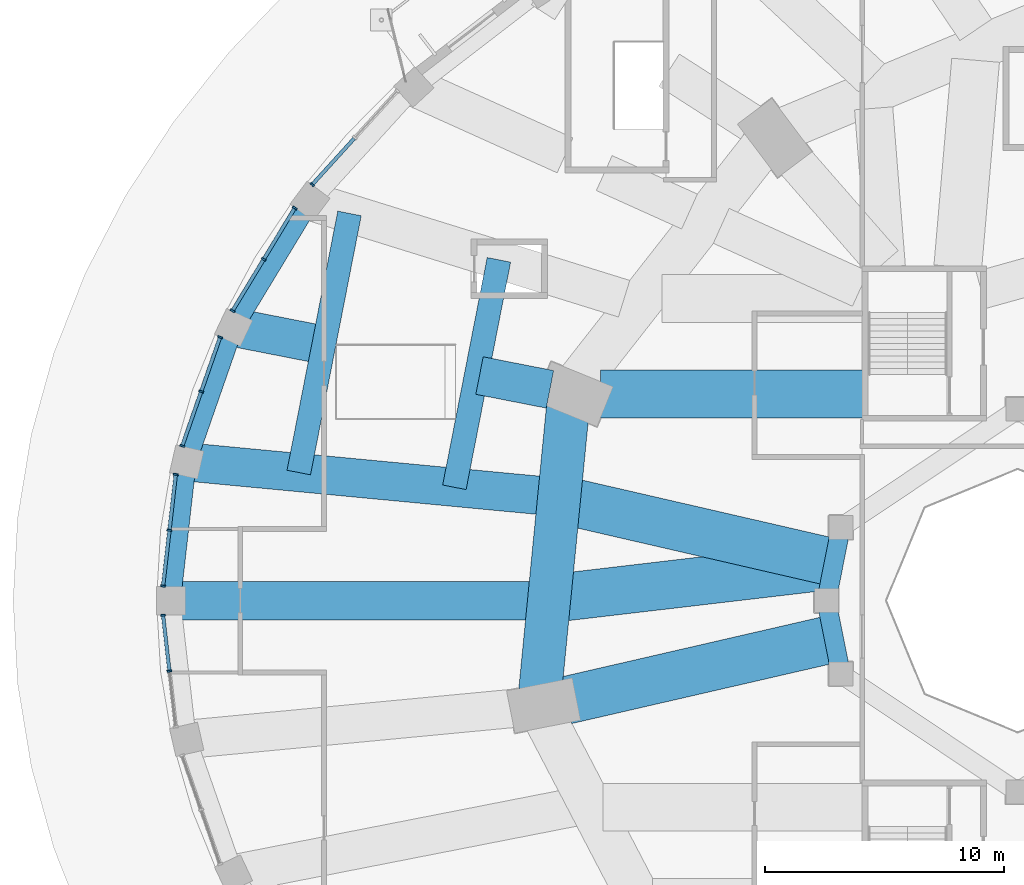
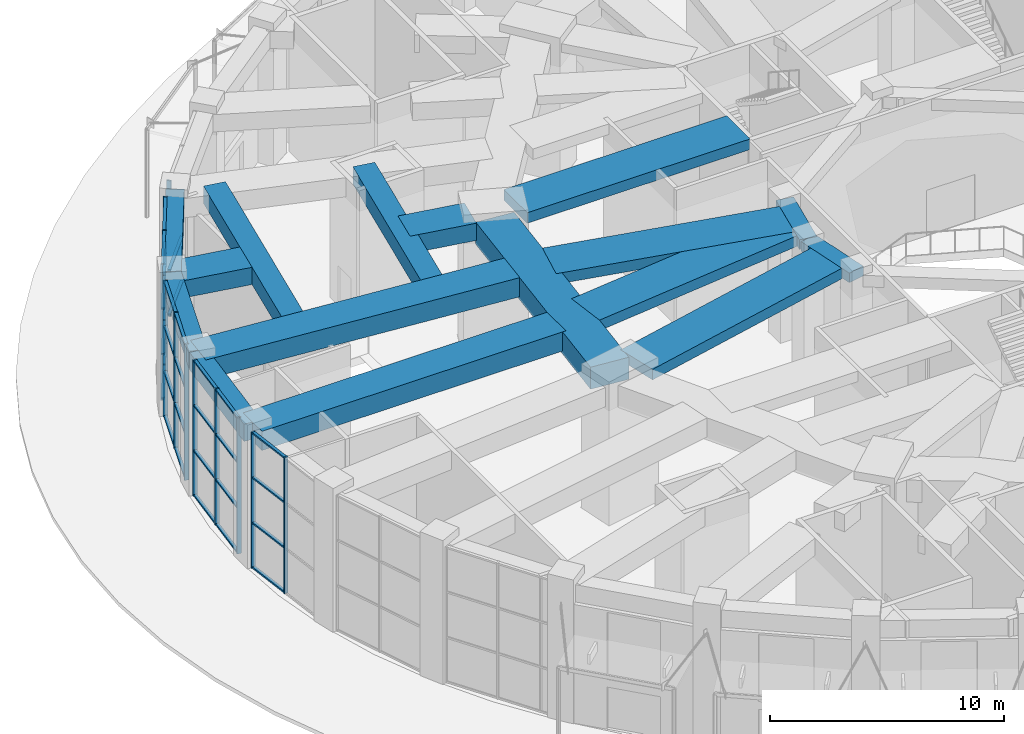
# One storey, part 25 of 60: 42 members, 16 beams, 5 elements without a shape of their own.
"""IFC4 building model written with IfcOpenShell, lengths in metres."""

import ifcopenshell
import ifcopenshell.guid

model = None  # the IFC model being written
_history = None  # IfcOwnerHistory: only IFC2X3 demands one
_inside = {}  # id of a spatial element -> (the spatial element, [elements in it])
_under = {}  # id of a project, library or spatial element -> (it, [spatial elements below it])
_declared = {}  # id of a project -> (the project, [libraries it declares])
_typed = {}  # id of a type object -> (the type object, [elements of that type])
_made_of = {}  # id of a material, layer set ... -> (it, [elements and type objects made of it])


def new_model(schema):
    """Start an empty IFC model of exactly this schema.

    Asked for "IFC4X3", IfcOpenShell would pick the latest addendum, in which some entities
    have other attributes; the version numbers below select the first issue.
    IFC2X3 requires an IfcOwnerHistory on every rooted entity: one is made here for all.
    """
    global model, _history
    if schema == "IFC4X3":
        model = ifcopenshell.file(schema_version=(4, 3, 0, 0))
    else:
        model = ifcopenshell.file(schema=schema)
    _inside.clear()
    _under.clear()
    _declared.clear()
    _typed.clear()
    _made_of.clear()
    _history = None
    if model.schema == "IFC2X3":
        org = make("IfcOrganization", Name="unknown")
        user = make(
            "IfcPersonAndOrganization",
            ThePerson=make("IfcPerson", FamilyName="unknown"),
            TheOrganization=org,
        )
        app = make(
            "IfcApplication",
            ApplicationDeveloper=org,
            Version="unknown",
            ApplicationFullName="unknown",
            ApplicationIdentifier="unknown",
        )
        _history = make(
            "IfcOwnerHistory",
            OwningUser=user,
            OwningApplication=app,
            ChangeAction="ADDED",
            CreationDate=0,
        )
    return model


def make(cls, **values):
    """One entity of the class cls with the attributes given. An attribute that is None is left unset."""
    return model.create_entity(
        cls, **{name: value for name, value in values.items() if value is not None}
    )


def rooted(cls, **values):
    """An entity with a GlobalId (a new one), such as an element, a storey or a relation."""
    return make(cls, GlobalId=ifcopenshell.guid.new(), OwnerHistory=_history, **values)


def si_unit(unit_type, name, prefix=None):
    """IfcSIUnit, for example si_unit("LENGTHUNIT", "METRE", prefix="MILLI")."""
    return make("IfcSIUnit", UnitType=unit_type, Prefix=prefix, Name=name)


def assignment(units):
    """IfcUnitAssignment: the units of a project."""
    return None if units is None else make("IfcUnitAssignment", Units=units)


def point(xyz):
    """IfcCartesianPoint."""
    return None if xyz is None else make("IfcCartesianPoint", Coordinates=xyz)


def direction(xyz):
    """IfcDirection."""
    return None if xyz is None else make("IfcDirection", DirectionRatios=xyz)


def frame(location, z_axis=None, x_axis=None):
    """IfcAxis2Placement3D, a coordinate frame: its origin and axes. An axis left out is left unset."""
    return make(
        "IfcAxis2Placement3D",
        Location=point(location),
        Axis=direction(z_axis),
        RefDirection=direction(x_axis),
    )


def frame_2d(location, x_axis=None):
    """IfcAxis2Placement2D, a coordinate frame in the plane: its origin and x axis."""
    return make(
        "IfcAxis2Placement2D", Location=point(location), RefDirection=direction(x_axis)
    )


def origin():
    """The frame at (0, 0, 0) with its axes left unset."""
    return frame((0.0, 0.0, 0.0))


def origin_2d():
    """The frame at (0, 0) in the plane with its x axis left unset."""
    return frame_2d((0.0, 0.0))


def place(relative_to, where):
    """IfcLocalPlacement: puts the frame where relative to a parent placement (None: the world)."""
    return make(
        "IfcLocalPlacement", PlacementRelTo=relative_to, RelativePlacement=where
    )


def context(
    kind, dimensions, precision=None, world=None, true_north=None, identifier=None
):
    """IfcGeometricRepresentationContext, for example the 3D "Model" context."""
    return make(
        "IfcGeometricRepresentationContext",
        ContextIdentifier=identifier,
        ContextType=kind,
        CoordinateSpaceDimension=dimensions,
        Precision=precision,
        WorldCoordinateSystem=world,
        TrueNorth=true_north,
    )


def subcontext(parent, identifier, kind, view, scale=None):
    """IfcGeometricRepresentationSubContext, for example "Body" below "Model"."""
    return make(
        "IfcGeometricRepresentationSubContext",
        ContextIdentifier=identifier,
        ContextType=kind,
        ParentContext=parent,
        TargetScale=scale,
        TargetView=view,
    )


def project(units=None, contexts=None):
    """IfcProject with its units and contexts."""
    return rooted(
        "IfcProject",
        Name="project",
        RepresentationContexts=contexts,
        UnitsInContext=assignment(units),
    )


def spatial(cls, under=None, at=None, **own):
    """A site, building, storey or space (cls), placed at a placement, below another one or the project."""
    s = rooted(cls, ObjectPlacement=at, **own)
    if under is not None:
        _under.setdefault(under.id(), (under, []))[1].append(s)
    return s


def profile(cls, at=None, kind="AREA", **sizes):
    """A parametric profile (cls). Its sizes go by their IFC names, for example OverallWidth=200.0."""
    return make(cls, ProfileType=kind, Position=at, **sizes)


def rectangle(**sizes):
    """IfcRectangleProfileDef."""
    return profile("IfcRectangleProfileDef", **sizes)


def extrude(swept, where, along, depth):
    """IfcExtrudedAreaSolid: the profile swept, set in the frame where, extruded along a direction by depth."""
    return make(
        "IfcExtrudedAreaSolid",
        SweptArea=swept,
        Position=where,
        ExtrudedDirection=direction(along),
        Depth=depth,
    )


def shape(context_of_items, identifier, shape_type, items):
    """IfcShapeRepresentation: the items that make up one representation, for example the "Body"."""
    return make(
        "IfcShapeRepresentation",
        ContextOfItems=context_of_items,
        RepresentationIdentifier=identifier,
        RepresentationType=shape_type,
        Items=items,
    )


def material(Name=None, Category=None):
    """IfcMaterial."""
    return make("IfcMaterial", Name=Name, Category=Category)


def material_profile(
    of_material, cross_section, Name=None, Category=None, Priority=None
):
    """IfcMaterialProfile: a cross section and its material."""
    return make(
        "IfcMaterialProfile",
        Name=Name,
        Material=of_material,
        Profile=cross_section,
        Priority=Priority,
        Category=Category,
    )


def profile_set(profiles, Name=None, composite=None):
    """IfcMaterialProfileSet."""
    return make(
        "IfcMaterialProfileSet",
        Name=Name,
        MaterialProfiles=profiles,
        CompositeProfile=composite,
    )


def made_of(thing, what):
    """Note that an element or type object is made of a material, layer set ...; save() writes the relation."""
    if what is not None:
        _made_of.setdefault(what.id(), (what, []))[1].append(thing)
    return thing


def type_object(cls, material=None, **own):
    """A type object (cls), such as IfcWallType, which elements share."""
    return made_of(rooted(cls, **own), material)


def element(
    cls,
    number,
    at=None,
    inside=None,
    cuts=None,
    type_object=None,
    material=None,
    context=None,
    identifier="Body",
    shape_type=None,
    held_by="IfcProductDefinitionShape",
    body=None,
    shapes=None,
    **own,
):
    """One element of the class cls, such as IfcWall. Its Tag is "e" and its number.

    at: its placement. inside: the storey or other place that contains it. cuts: it is an
    opening in that element (IfcRelVoidsElement). A single representation is given by context,
    identifier, shape_type and body (its items); several are given by shapes. held_by: the class
    of the entity that holds the representations. save() writes the other relations.
    """
    e = rooted(cls, Tag="e%d" % number, ObjectPlacement=at, **own)
    if body is not None:
        shapes = [shape(context, identifier, shape_type, body)]
    if shapes is not None:
        e.Representation = make(held_by, Representations=shapes)
    if inside is not None:
        _inside.setdefault(inside.id(), (inside, []))[1].append(e)
    if cuts is not None:
        rooted(
            "IfcRelVoidsElement", RelatingBuildingElement=cuts, RelatedOpeningElement=e
        )
    if type_object is not None:
        _typed.setdefault(type_object.id(), (type_object, []))[1].append(e)
    return made_of(e, material)


def aggregate(whole, parts):
    """IfcRelAggregates: a whole, such as a stair, and the parts it consists of."""
    return rooted("IfcRelAggregates", RelatingObject=whole, RelatedObjects=parts)


def save(model, path):
    """Write the relations noted so far, then the file.

    IfcRelAggregates (storeys below a building ...), IfcRelContainedInSpatialStructure (elements
    in a storey), IfcRelDefinesByType, IfcRelAssociatesMaterial and IfcRelDeclares: one each for
    every whole, place, type object, material and project.
    """
    for whole, parts in _under.values():
        aggregate(whole, parts)
    for where, things in _inside.values():
        rooted(
            "IfcRelContainedInSpatialStructure",
            RelatedElements=things,
            RelatingStructure=where,
        )
    for kind, things in _typed.values():
        rooted("IfcRelDefinesByType", RelatedObjects=things, RelatingType=kind)
    for what, things in _made_of.values():
        rooted("IfcRelAssociatesMaterial", RelatedObjects=things, RelatingMaterial=what)
    for by, libraries in _declared.values():
        rooted("IfcRelDeclares", RelatingContext=by, RelatedDefinitions=libraries)
    model.write(path)


model = new_model("IFC4")

# Units and contexts
model_context = context("Model", 3, precision=1e-05, world=origin(), true_north=direction((0.0, 1.0)))
body_context = subcontext(model_context, "Body", "Model", "MODEL_VIEW")
ifc_project = project(units=[si_unit("LENGTHUNIT", "METRE"), si_unit("AREAUNIT", "SQUARE_METRE"), si_unit("VOLUMEUNIT", "CUBIC_METRE"), si_unit("PLANEANGLEUNIT", "RADIAN"), si_unit("MASSUNIT", "GRAM", prefix="KILO")], contexts=[model_context])

# Site, building, storey
site_placement = place(None, origin())
site = spatial("IfcSite", under=ifc_project, at=site_placement, CompositionType="ELEMENT")
building_placement = place(site_placement, origin())
building = spatial("IfcBuilding", under=site, at=building_placement, Name="Taillehof Tower", CompositionType="ELEMENT")
storey_placement = place(building_placement, origin())
storey = spatial("IfcBuildingStorey", under=building, at=storey_placement, Name="L00", CompositionType="ELEMENT", Elevation=0.0)

# Beams
ifc_material_1 = material(Name="Concrete C50/60", Category="concrete")
ifc_material_profile_1 = material_profile(ifc_material_1, rectangle(XDim=0.800048828125, YDim=0.5, at=origin_2d()), Name="RC 800x500")
ifc_profile_set_1 = profile_set([ifc_material_profile_1], Name="Concrete C50/60")
beam_type_1 = type_object("IfcBeamType", Name="Atrium ring beam C50/60 800x500", PredefinedType="BEAM", material=ifc_profile_set_1)
for number, where, z_axis, x_axis, name in (
    (1, (-15.39111328125, 3.0615234375, 6.840087890625), (-0.195063155143, -0.980790683839, 0.0), (0.980790683839, -0.195063155143, 0.0), "Atrium ring beam AB04"),
    (2, (-16.0, 0.0, 6.840087890625), (0.195063155143, -0.980790683839, 0.0), (0.980790683839, 0.195063155143, 0.0), "Atrium ring beam AB05"),
):
    element("IfcBeam", number, at=place(storey_placement, frame(where, z_axis=z_axis, x_axis=x_axis)), inside=storey, type_object=beam_type_1, Name=name, PredefinedType="BEAM", context=body_context, shape_type="SweptSolid", body=[
        extrude(rectangle(XDim=0.800048828125, YDim=0.5, at=origin_2d()), origin(), (0.0, 0.0, 1.0), 3.12158203125),
    ])
ifc_material_2 = material(Name="Concrete C50/60", Category="concrete")
ifc_material_profile_2 = material_profile(ifc_material_2, rectangle(XDim=0.800048828125, YDim=0.89990234375, at=origin_2d()), Name="RC 800x900")
ifc_profile_set_2 = profile_set([ifc_material_profile_2], Name="Concrete C50/60")
beam_type_2 = type_object("IfcBeamType", Name="Podium edge beam C50/60 800x900", PredefinedType="BEAM", material=ifc_profile_set_2)
beam_1_placement = place(storey_placement, frame((-37.58544921875, 16.699951171875, 6.639892578125), z_axis=(-0.518238569123, -0.855236099258, 0.0), x_axis=(0.855236099258, -0.518238569123, 0.0)))
element("IfcBeam", 3, at=beam_1_placement, inside=storey, type_object=beam_type_2, Name="Podium edge beam PB16", PredefinedType="BEAM", context=body_context, shape_type="SweptSolid", body=[
    extrude(rectangle(XDim=0.800048828125, YDim=0.89990234375, at=origin_2d()), origin(), (0.0, 0.0, 1.0), 6.16943359375),
])
beam_2_placement = place(storey_placement, frame((-40.78271484375, 11.423583984375, 6.639892578125), z_axis=(-0.328806837859, -0.94439719577, 0.0), x_axis=(0.94439719577, -0.328806837859, 0.0)))
element("IfcBeam", 4, at=beam_2_placement, inside=storey, type_object=beam_type_2, Name="Podium edge beam PB17", PredefinedType="BEAM", context=body_context, shape_type="SweptSolid", body=[
    extrude(rectangle(XDim=0.800048828125, YDim=0.89990234375, at=origin_2d()), origin(), (0.0, 0.0, 1.0), 5.954833984375),
])
beam_3_placement = place(storey_placement, frame((-42.74072265625, 5.7998046875, 6.639892578125), z_axis=(-0.112928457179, -0.993603121754, 0.0), x_axis=(0.993603121754, -0.112928457179, 0.0)))
element("IfcBeam", 5, at=beam_3_placement, inside=storey, type_object=beam_type_2, Name="Podium edge beam PB18", PredefinedType="BEAM", context=body_context, shape_type="SweptSolid", body=[
    extrude(rectangle(XDim=0.800048828125, YDim=0.89990234375, at=origin_2d()), origin(), (0.0, 0.0, 1.0), 5.837158203125),
])
ifc_material_3 = material(Name="Concrete C50/60", Category="concrete")
ifc_material_profile_3 = material_profile(ifc_material_3, rectangle(XDim=1.60009765625, YDim=1.0, at=origin_2d()), Name="RC 1600x1000")
ifc_profile_set_3 = profile_set([ifc_material_profile_3], Name="Concrete C50/60")
beam_type_3 = type_object("IfcBeamType", Name="Podium radial beam C50/60 1600x1000", PredefinedType="BEAM", material=ifc_profile_set_3)
beam_4_placement = place(storey_placement, frame((-42.74072265625, 5.7998046875, 6.590087890625), z_axis=(0.995531708265, -0.094427844618, 0.0), x_axis=(0.094427844618, 0.995531708265, 0.0)))
element("IfcBeam", 6, at=beam_4_placement, inside=storey, type_object=beam_type_3, Name="Podium radial beam PR18", PredefinedType="BEAM", context=body_context, shape_type="SweptSolid", body=[
    extrude(rectangle(XDim=1.60009765625, YDim=1.0, at=origin_2d()), origin(), (0.0, 0.0, 1.0), 14.74755859375),
])
beam_5_placement = place(storey_placement, frame((-43.39990234375, 0.0, 6.590087890625), z_axis=(1.0, 0.0, 0.0), x_axis=(0.0, 1.0, 0.0)))
element("IfcBeam", 7, at=beam_5_placement, inside=storey, type_object=beam_type_3, Name="Podium radial beam PR19", PredefinedType="BEAM", context=body_context, shape_type="SweptSolid", body=[
    extrude(rectangle(XDim=1.60009765625, YDim=1.0, at=origin_2d()), origin(), (0.0, 0.0, 1.0), 14.987060546875),
])
ifc_material_4 = material(Name="Concrete C50/60", Category="concrete")
ifc_material_profile_4 = material_profile(ifc_material_4, rectangle(XDim=1.60009765625, YDim=0.89990234375, at=origin_2d()), Name="RC 1600x900")
ifc_profile_set_4 = profile_set([ifc_material_profile_4], Name="Concrete C50/60")
beam_type_4 = type_object("IfcBeamType", Name="Podium radial beam C50/60 1600x900", PredefinedType="BEAM", material=ifc_profile_set_4)
beam_6_placement = place(storey_placement, frame((-40.78271484375, 11.423583984375, 6.639892578125), z_axis=(0.981361547625, -0.192170530633, 0.0), x_axis=(0.192170530633, 0.981361547625, 0.0)))
element("IfcBeam", 8, at=beam_6_placement, inside=storey, type_object=beam_type_4, Name="Podium radial beam PR17", PredefinedType="BEAM", context=body_context, shape_type="SweptSolid", body=[
    extrude(rectangle(XDim=1.60009765625, YDim=0.89990234375, at=origin_2d()), origin(), (0.0, 0.0, 1.0), 3.344970703125),
])
beam_7_placement = place(storey_placement, frame((-30.5, 9.41015625, 6.639892578125), z_axis=(0.981357988346, -0.192188705989, 0.0), x_axis=(0.192188705989, 0.981357988346, 0.0)))
element("IfcBeam", 9, at=beam_7_placement, inside=storey, type_object=beam_type_4, Name="Podium radial beam PR17", PredefinedType="BEAM", context=body_context, shape_type="SweptSolid", body=[
    extrude(rectangle(XDim=1.60009765625, YDim=0.89990234375, at=origin_2d()), origin(), (0.0, 0.0, 1.0), 3.001708984375),
])
ifc_material_5 = material(Name="Concrete C50/60", Category="concrete")
ifc_material_profile_5 = material_profile(ifc_material_5, rectangle(XDim=1.0, YDim=0.89990234375, at=origin_2d()), Name="RC 1000x900")
ifc_profile_set_5 = profile_set([ifc_material_profile_5], Name="Concrete C50/60")
beam_type_5 = type_object("IfcBeamType", Name="Podium trimmer beam C50/60 1000x900", PredefinedType="BEAM", material=ifc_profile_set_5)
beam_8_placement = place(storey_placement, frame((-38.055908203125, 5.35546875, 6.639892578125), z_axis=(0.192145908014, 0.981366368913, 0.0), x_axis=(-0.981366368913, 0.192145908014, 0.0)))
element("IfcBeam", 10, at=beam_8_placement, inside=storey, type_object=beam_type_5, Name="Podium trimmer beam PT1A", PredefinedType="BEAM", context=body_context, shape_type="SweptSolid", body=[
    extrude(rectangle(XDim=1.0, YDim=0.89990234375, at=origin_2d()), origin(), (0.0, 0.0, 1.0), 11.03759765625),
])
beam_9_placement = place(storey_placement, frame((-31.55078125, 4.738525390625, 6.639892578125), z_axis=(0.192150880771, 0.981365395263, 0.0), x_axis=(-0.981365395263, 0.192150880771, 0.0)))
element("IfcBeam", 11, at=beam_9_placement, inside=storey, type_object=beam_type_5, Name="Podium trimmer beam PT1B", PredefinedType="BEAM", context=body_context, shape_type="SweptSolid", body=[
    extrude(rectangle(XDim=1.0, YDim=0.89990234375, at=origin_2d()), origin(), (0.0, 0.0, 1.0), 9.689453125),
])
ifc_material_6 = material(Name="Concrete C50/60", Category="concrete")
ifc_material_profile_6 = material_profile(ifc_material_6, rectangle(XDim=2.0, YDim=0.550048828125, at=origin_2d()), Name="RC 2000x550")
ifc_profile_set_6 = profile_set([ifc_material_profile_6], Name="Concrete C50/60")
beam_type_6 = type_object("IfcBeamType", Name="Radial band beam C50/60 2000x550", PredefinedType="BEAM", material=ifc_profile_set_6)
beam_10_placement = place(storey_placement, frame((-25.444091796875, 8.635986328125, 6.81494140625), z_axis=(1.0, 0.0, 0.0), x_axis=(0.0, 1.0, 0.0)))
element("IfcBeam", 12, at=beam_10_placement, inside=storey, type_object=beam_type_6, Name="Radial band beam RB17", PredefinedType="BEAM", context=body_context, shape_type="SweptSolid", body=[
    extrude(rectangle(XDim=2.0, YDim=0.550048828125, at=origin_2d()), origin(), (0.0, 0.0, 1.0), 10.994140625),
])
beam_11_placement = place(storey_placement, frame((-26.423828125, 4.06298828125, 6.81494140625), z_axis=(0.97450754924, -0.224354711282, 0.0), x_axis=(0.224354711282, 0.97450754924, 0.0)))
element("IfcBeam", 13, at=beam_11_placement, inside=storey, type_object=beam_type_6, Name="Radial band beam RB18", PredefinedType="BEAM", context=body_context, shape_type="SweptSolid", body=[
    extrude(rectangle(XDim=2.0, YDim=0.550048828125, at=origin_2d()), origin(), (0.0, 0.0, 1.0), 11.021240234375),
])
beam_12_placement = place(storey_placement, frame((-26.890625, 0.159423828125, 6.81494140625), z_axis=(0.993190949088, 0.116497805345, 0.0), x_axis=(-0.116497805345, 0.993190949088, 0.0)))
element("IfcBeam", 14, at=beam_12_placement, inside=storey, type_object=beam_type_6, Name="Radial band beam RB19", PredefinedType="BEAM", context=body_context, shape_type="SweptSolid", body=[
    extrude(rectangle(XDim=2.0, YDim=0.550048828125, at=origin_2d()), origin(), (0.0, 0.0, 1.0), 11.260009765625),
])
beam_13_placement = place(storey_placement, frame((-26.8681640625, -4.165283203125, 6.81494140625), z_axis=(0.974507582224, 0.224354568011, 0.0), x_axis=(-0.224354568011, 0.974507582224, 0.0)))
element("IfcBeam", 15, at=beam_13_placement, inside=storey, type_object=beam_type_6, Name="Radial band beam RB20", PredefinedType="BEAM", context=body_context, shape_type="SweptSolid", body=[
    extrude(rectangle(XDim=2.0, YDim=0.550048828125, at=origin_2d()), origin(), (0.0, 0.0, 1.0), 11.47705078125),
])
ifc_material_7 = material(Name="Concrete C50/60", Category="concrete")
ifc_material_profile_7 = material_profile(ifc_material_7, rectangle(XDim=1.800048828125, YDim=1.14990234375, at=origin_2d()), Name="RC 1800x1150")
ifc_profile_set_7 = profile_set([ifc_material_profile_7], Name="Concrete C50/60")
beam_type_7 = type_object("IfcBeamType", Name="Ring floor beam C50/60 1800x1150", PredefinedType="BEAM", material=ifc_profile_set_7)
beam_14_placement = place(storey_placement, frame((-26.804931640625, 8.048095703125, 6.514892578125), z_axis=(-0.097401633185, -0.995245156659, 0.0), x_axis=(0.995245156659, -0.097401633185, 0.0)))
element("IfcBeam", 16, at=beam_14_placement, inside=storey, type_object=beam_type_7, Name="Ring floor beam RG06", PredefinedType="BEAM", context=body_context, shape_type="SweptSolid", body=[
    extrude(rectangle(XDim=1.800048828125, YDim=1.14990234375, at=origin_2d()), origin(), (0.0, 0.0, 1.0), 11.868408203125),
])

# Curtain wall, member
ifc_material_8 = material(Name="Aluminium curtain wall with Clear laminated safety glass", Category="aluminium")
curtain_wall_type = type_object("IfcCurtainWallType", Name="Station storefront curtain wall", PredefinedType="USERDEFINED", material=ifc_material_8)
curtain_wall_1_placement = place(storey_placement, origin())
curtain_wall_1 = element("IfcCurtainWall", 17, at=curtain_wall_1_placement, inside=storey, type_object=curtain_wall_type, Name="Station storefront L00 bay 15", ObjectType="STOREFRONT", PredefinedType="USERDEFINED")
ifc_material_9 = material(Name="Aluminium mullion", Category="aluminium")
ifc_material_profile_8 = material_profile(ifc_material_9, rectangle(XDim=0.199951171875, YDim=0.080078125, at=origin_2d()), Name="AL 80x200")
ifc_profile_set_8 = profile_set([ifc_material_profile_8], Name="Aluminium mullion")
member_type_1 = type_object("IfcMemberType", Name="Station storefront mullion 80x200", PredefinedType="MULLION", material=ifc_profile_set_8)
member_1_placement = place(storey_placement, frame((-37.492919921875, 17.39208984375, 0.0), z_axis=(0.0, 0.0, 1.0), x_axis=(0.739707112587, -0.672928961769, 0.0)))
member_1 = element("IfcMember", 18, at=member_1_placement, type_object=member_type_1, Name="CT115 mullion 3", PredefinedType="MULLION", context=body_context, shape_type="SweptSolid", body=[
    extrude(rectangle(XDim=0.199951171875, YDim=0.080078125, at=origin_2d()), origin(), (0.0, 0.0, 1.0), 7.090087890625),
])

# Curtain wall, members
curtain_wall_2_placement = place(storey_placement, origin())
curtain_wall_2 = element("IfcCurtainWall", 19, at=curtain_wall_2_placement, inside=storey, type_object=curtain_wall_type, Name="Station storefront L00 bay 16", ObjectType="STOREFRONT", PredefinedType="USERDEFINED")
member_2_placement = place(storey_placement, frame((-38.22265625, 16.414794921875, 0.0), z_axis=(0.0, 0.0, 1.0), x_axis=(0.855288863309, -0.518151483931, 0.0)))
member_2 = element("IfcMember", 20, at=member_2_placement, type_object=member_type_1, Name="CT116 mullion 1", PredefinedType="MULLION", context=body_context, shape_type="SweptSolid", body=[
    extrude(rectangle(XDim=0.199951171875, YDim=0.080078125, at=origin_2d()), origin(), (0.0, 0.0, 1.0), 7.090087890625),
])
member_3_placement = place(storey_placement, frame((-39.524169921875, 14.266357421875, 0.0), z_axis=(0.0, 0.0, 1.0), x_axis=(0.855288863309, -0.518151483931, 0.0)))
member_3 = element("IfcMember", 21, at=member_3_placement, type_object=member_type_1, Name="CT116 mullion 2", PredefinedType="MULLION", context=body_context, shape_type="SweptSolid", body=[
    extrude(rectangle(XDim=0.199951171875, YDim=0.080078125, at=origin_2d()), origin(), (0.0, 0.0, 1.0), 7.090087890625),
])
member_4_placement = place(storey_placement, frame((-40.82568359375, 12.117919921875, 0.0), z_axis=(0.0, 0.0, 1.0), x_axis=(0.855288863309, -0.518151483931, 0.0)))
member_4 = element("IfcMember", 22, at=member_4_placement, type_object=member_type_1, Name="CT116 mullion 3", PredefinedType="MULLION", context=body_context, shape_type="SweptSolid", body=[
    extrude(rectangle(XDim=0.199951171875, YDim=0.080078125, at=origin_2d()), origin(), (0.0, 0.0, 1.0), 7.090087890625),
])

curtain_wall_3_placement = place(storey_placement, origin())
curtain_wall_3 = element("IfcCurtainWall", 23, at=curtain_wall_3_placement, inside=storey, type_object=curtain_wall_type, Name="Station storefront L00 bay 17", ObjectType="STOREFRONT", PredefinedType="USERDEFINED")
member_5_placement = place(storey_placement, frame((-41.34521484375, 11.01416015625, 0.0), z_axis=(0.0, 0.0, 1.0), x_axis=(0.944414333464, -0.328757610934, 0.0)))
member_5 = element("IfcMember", 24, at=member_5_placement, type_object=member_type_1, Name="CT117 mullion 1", PredefinedType="MULLION", context=body_context, shape_type="SweptSolid", body=[
    extrude(rectangle(XDim=0.199951171875, YDim=0.080078125, at=origin_2d()), origin(), (0.0, 0.0, 1.0), 7.090087890625),
])
member_6_placement = place(storey_placement, frame((-42.136474609375, 8.7412109375, 0.0), z_axis=(0.0, 0.0, 1.0), x_axis=(0.944414333464, -0.328757610934, 0.0)))
member_6 = element("IfcMember", 25, at=member_6_placement, type_object=member_type_1, Name="CT117 mullion 2", PredefinedType="MULLION", context=body_context, shape_type="SweptSolid", body=[
    extrude(rectangle(XDim=0.199951171875, YDim=0.080078125, at=origin_2d()), origin(), (0.0, 0.0, 1.0), 7.090087890625),
])
member_7_placement = place(storey_placement, frame((-42.927734375, 6.46826171875, 0.0), z_axis=(0.0, 0.0, 1.0), x_axis=(0.944414333464, -0.328757610934, 0.0)))
member_7 = element("IfcMember", 26, at=member_7_placement, type_object=member_type_1, Name="CT117 mullion 3", PredefinedType="MULLION", context=body_context, shape_type="SweptSolid", body=[
    extrude(rectangle(XDim=0.199951171875, YDim=0.080078125, at=origin_2d()), origin(), (0.0, 0.0, 1.0), 7.090087890625),
])

curtain_wall_4_placement = place(storey_placement, origin())
curtain_wall_4 = element("IfcCurtainWall", 27, at=curtain_wall_4_placement, inside=storey, type_object=curtain_wall_type, Name="Station storefront L00 bay 18", ObjectType="STOREFRONT", PredefinedType="USERDEFINED")
member_8_placement = place(storey_placement, frame((-43.19873046875, 5.27880859375, 0.0), z_axis=(0.0, 0.0, 1.0), x_axis=(0.993602669771, -0.112932433888, 0.0)))
member_8 = element("IfcMember", 28, at=member_8_placement, type_object=member_type_1, Name="CT118 mullion 1", PredefinedType="MULLION", context=body_context, shape_type="SweptSolid", body=[
    extrude(rectangle(XDim=0.199951171875, YDim=0.080078125, at=origin_2d()), origin(), (0.0, 0.0, 1.0), 7.090087890625),
])
member_9_placement = place(storey_placement, frame((-43.464111328125, 2.9443359375, 0.0), z_axis=(0.0, 0.0, 1.0), x_axis=(0.993602669771, -0.112932433888, 0.0)))
member_9 = element("IfcMember", 29, at=member_9_placement, type_object=member_type_1, Name="CT118 mullion 2", PredefinedType="MULLION", context=body_context, shape_type="SweptSolid", body=[
    extrude(rectangle(XDim=0.199951171875, YDim=0.080078125, at=origin_2d()), origin(), (0.0, 0.0, 1.0), 7.090087890625),
])
member_10_placement = place(storey_placement, frame((-43.7294921875, 0.60986328125, 0.0), z_axis=(0.0, 0.0, 1.0), x_axis=(0.993602669771, -0.112932433888, 0.0)))
member_10 = element("IfcMember", 30, at=member_10_placement, type_object=member_type_1, Name="CT118 mullion 3", PredefinedType="MULLION", context=body_context, shape_type="SweptSolid", body=[
    extrude(rectangle(XDim=0.199951171875, YDim=0.080078125, at=origin_2d()), origin(), (0.0, 0.0, 1.0), 7.090087890625),
])

curtain_wall_5_placement = place(storey_placement, origin())
curtain_wall_5 = element("IfcCurtainWall", 31, at=curtain_wall_5_placement, inside=storey, type_object=curtain_wall_type, Name="Station storefront L00 bay 19", ObjectType="STOREFRONT", PredefinedType="USERDEFINED")
member_11_placement = place(storey_placement, frame((-43.7294921875, -0.60986328125, 0.0), z_axis=(0.0, 0.0, 1.0), x_axis=(0.993602669771, 0.112932433888, 0.0)))
member_11 = element("IfcMember", 32, at=member_11_placement, type_object=member_type_1, Name="CT119 mullion 1", PredefinedType="MULLION", context=body_context, shape_type="SweptSolid", body=[
    extrude(rectangle(XDim=0.199951171875, YDim=0.080078125, at=origin_2d()), origin(), (0.0, 0.0, 1.0), 7.090087890625),
])
member_12_placement = place(storey_placement, frame((-43.464111328125, -2.9443359375, 0.0), z_axis=(0.0, 0.0, 1.0), x_axis=(0.993602669771, 0.112932433888, 0.0)))
member_12 = element("IfcMember", 33, at=member_12_placement, type_object=member_type_1, Name="CT119 mullion 2", PredefinedType="MULLION", context=body_context, shape_type="SweptSolid", body=[
    extrude(rectangle(XDim=0.199951171875, YDim=0.080078125, at=origin_2d()), origin(), (0.0, 0.0, 1.0), 7.090087890625),
])

# Member
ifc_material_10 = material(Name="Aluminium transom", Category="aluminium")
ifc_material_profile_9 = material_profile(ifc_material_10, rectangle(XDim=0.14990234375, YDim=0.080078125, at=origin_2d()), Name="AL 150x80")
ifc_profile_set_9 = profile_set([ifc_material_profile_9], Name="Aluminium transom")
member_type_2 = type_object("IfcMemberType", Name="Station storefront transom 150x80", PredefinedType="USERDEFINED", material=ifc_profile_set_9)
member_13_placement = place(storey_placement, frame((-35.73779296875, 19.3212890625, 0.0400390625), z_axis=(-0.672899895992, -0.739733553365, 0.0), x_axis=(0.739733553365, -0.672899895992, 0.0)))
member_13 = element("IfcMember", 34, at=member_13_placement, type_object=member_type_2, Name="CT115 transom 2.1", ObjectType="TRANSOM", PredefinedType="USERDEFINED", context=body_context, shape_type="SweptSolid", body=[
    extrude(rectangle(XDim=0.14990234375, YDim=0.080078125, at=origin_2d()), origin(), (0.0, 0.0, 1.0), 2.568115234375),
])

member_14_placement = place(storey_placement, frame((-35.73779296875, 19.3212890625, 2.36328125), z_axis=(-0.672899895992, -0.739733553365, 0.0), x_axis=(0.739733553365, -0.672899895992, 0.0)))
member_14 = element("IfcMember", 35, at=member_14_placement, type_object=member_type_2, Name="CT115 transom 2.2", ObjectType="TRANSOM", PredefinedType="USERDEFINED", context=body_context, shape_type="SweptSolid", body=[
    extrude(rectangle(XDim=0.14990234375, YDim=0.080078125, at=origin_2d()), origin(), (0.0, 0.0, 1.0), 2.568115234375),
])

aggregate(curtain_wall_1, [member_1, member_13, member_14])

member_15_placement = place(storey_placement, frame((-38.243408203125, 16.38037109375, 0.0400390625), z_axis=(-0.518152628731, -0.855288169765, 0.0), x_axis=(0.855288169765, -0.518152628731, 0.0)))
member_15 = element("IfcMember", 36, at=member_15_placement, type_object=member_type_2, Name="CT116 transom 1.1", ObjectType="TRANSOM", PredefinedType="USERDEFINED", context=body_context, shape_type="SweptSolid", body=[
    extrude(rectangle(XDim=0.14990234375, YDim=0.080078125, at=origin_2d()), origin(), (0.0, 0.0, 1.0), 2.431640625),
])

member_16_placement = place(storey_placement, frame((-38.243408203125, 16.38037109375, 2.36328125), z_axis=(-0.518152628731, -0.855288169765, 0.0), x_axis=(0.855288169765, -0.518152628731, 0.0)))
member_16 = element("IfcMember", 37, at=member_16_placement, type_object=member_type_2, Name="CT116 transom 1.2", ObjectType="TRANSOM", PredefinedType="USERDEFINED", context=body_context, shape_type="SweptSolid", body=[
    extrude(rectangle(XDim=0.14990234375, YDim=0.080078125, at=origin_2d()), origin(), (0.0, 0.0, 1.0), 2.431640625),
])

member_17_placement = place(storey_placement, frame((-38.243408203125, 16.38037109375, 4.726806640625), z_axis=(-0.518152628731, -0.855288169765, 0.0), x_axis=(0.855288169765, -0.518152628731, 0.0)))
member_17 = element("IfcMember", 38, at=member_17_placement, type_object=member_type_2, Name="CT116 transom 1.3", ObjectType="TRANSOM", PredefinedType="USERDEFINED", context=body_context, shape_type="SweptSolid", body=[
    extrude(rectangle(XDim=0.14990234375, YDim=0.080078125, at=origin_2d()), origin(), (0.0, 0.0, 1.0), 2.431640625),
])

member_18_placement = place(storey_placement, frame((-38.243408203125, 16.38037109375, 7.050048828125), z_axis=(-0.518152628731, -0.855288169765, 0.0), x_axis=(0.855288169765, -0.518152628731, 0.0)))
member_18 = element("IfcMember", 39, at=member_18_placement, type_object=member_type_2, Name="CT116 transom 1.4", ObjectType="TRANSOM", PredefinedType="USERDEFINED", context=body_context, shape_type="SweptSolid", body=[
    extrude(rectangle(XDim=0.14990234375, YDim=0.080078125, at=origin_2d()), origin(), (0.0, 0.0, 1.0), 2.431640625),
])

member_19_placement = place(storey_placement, frame((-39.544921875, 14.232177734375, 0.0400390625), z_axis=(-0.518108138611, -0.855315121288, 0.0), x_axis=(0.855315121288, -0.518108138611, 0.0)))
member_19 = element("IfcMember", 40, at=member_19_placement, type_object=member_type_2, Name="CT116 transom 2.1", ObjectType="TRANSOM", PredefinedType="USERDEFINED", context=body_context, shape_type="SweptSolid", body=[
    extrude(rectangle(XDim=0.14990234375, YDim=0.080078125, at=origin_2d()), origin(), (0.0, 0.0, 1.0), 2.431884765625),
])

member_20_placement = place(storey_placement, frame((-39.544921875, 14.232177734375, 2.36328125), z_axis=(-0.518108138611, -0.855315121288, 0.0), x_axis=(0.855315121288, -0.518108138611, 0.0)))
member_20 = element("IfcMember", 41, at=member_20_placement, type_object=member_type_2, Name="CT116 transom 2.2", ObjectType="TRANSOM", PredefinedType="USERDEFINED", context=body_context, shape_type="SweptSolid", body=[
    extrude(rectangle(XDim=0.14990234375, YDim=0.080078125, at=origin_2d()), origin(), (0.0, 0.0, 1.0), 2.431884765625),
])

member_21_placement = place(storey_placement, frame((-39.544921875, 14.232177734375, 4.726806640625), z_axis=(-0.518108138611, -0.855315121288, 0.0), x_axis=(0.855315121288, -0.518108138611, 0.0)))
member_21 = element("IfcMember", 42, at=member_21_placement, type_object=member_type_2, Name="CT116 transom 2.3", ObjectType="TRANSOM", PredefinedType="USERDEFINED", context=body_context, shape_type="SweptSolid", body=[
    extrude(rectangle(XDim=0.14990234375, YDim=0.080078125, at=origin_2d()), origin(), (0.0, 0.0, 1.0), 2.431884765625),
])

member_22_placement = place(storey_placement, frame((-39.544921875, 14.232177734375, 7.050048828125), z_axis=(-0.518108138611, -0.855315121288, 0.0), x_axis=(0.855315121288, -0.518108138611, 0.0)))
member_22 = element("IfcMember", 43, at=member_22_placement, type_object=member_type_2, Name="CT116 transom 2.4", ObjectType="TRANSOM", PredefinedType="USERDEFINED", context=body_context, shape_type="SweptSolid", body=[
    extrude(rectangle(XDim=0.14990234375, YDim=0.080078125, at=origin_2d()), origin(), (0.0, 0.0, 1.0), 2.431884765625),
])

aggregate(curtain_wall_2, [member_2, member_3, member_4, member_15, member_16, member_17, member_18, member_19, member_20, member_21, member_22])

member_23_placement = place(storey_placement, frame((-41.3583984375, 10.976318359375, 0.0400390625), z_axis=(-0.32876074338, -0.944413243031, 0.0), x_axis=(0.944413243031, -0.32876074338, 0.0)))
member_23 = element("IfcMember", 44, at=member_23_placement, type_object=member_type_2, Name="CT117 transom 1.1", ObjectType="TRANSOM", PredefinedType="USERDEFINED", context=body_context, shape_type="SweptSolid", body=[
    extrude(rectangle(XDim=0.14990234375, YDim=0.080078125, at=origin_2d()), origin(), (0.0, 0.0, 1.0), 2.32666015625),
])

member_24_placement = place(storey_placement, frame((-41.3583984375, 10.976318359375, 2.36328125), z_axis=(-0.32876074338, -0.944413243031, 0.0), x_axis=(0.944413243031, -0.32876074338, 0.0)))
member_24 = element("IfcMember", 45, at=member_24_placement, type_object=member_type_2, Name="CT117 transom 1.2", ObjectType="TRANSOM", PredefinedType="USERDEFINED", context=body_context, shape_type="SweptSolid", body=[
    extrude(rectangle(XDim=0.14990234375, YDim=0.080078125, at=origin_2d()), origin(), (0.0, 0.0, 1.0), 2.32666015625),
])

member_25_placement = place(storey_placement, frame((-41.3583984375, 10.976318359375, 4.726806640625), z_axis=(-0.32876074338, -0.944413243031, 0.0), x_axis=(0.944413243031, -0.32876074338, 0.0)))
member_25 = element("IfcMember", 46, at=member_25_placement, type_object=member_type_2, Name="CT117 transom 1.3", ObjectType="TRANSOM", PredefinedType="USERDEFINED", context=body_context, shape_type="SweptSolid", body=[
    extrude(rectangle(XDim=0.14990234375, YDim=0.080078125, at=origin_2d()), origin(), (0.0, 0.0, 1.0), 2.32666015625),
])

member_26_placement = place(storey_placement, frame((-41.3583984375, 10.976318359375, 7.050048828125), z_axis=(-0.32876074338, -0.944413243031, 0.0), x_axis=(0.944413243031, -0.32876074338, 0.0)))
member_26 = element("IfcMember", 47, at=member_26_placement, type_object=member_type_2, Name="CT117 transom 1.4", ObjectType="TRANSOM", PredefinedType="USERDEFINED", context=body_context, shape_type="SweptSolid", body=[
    extrude(rectangle(XDim=0.14990234375, YDim=0.080078125, at=origin_2d()), origin(), (0.0, 0.0, 1.0), 2.32666015625),
])

member_27_placement = place(storey_placement, frame((-42.149658203125, 8.703369140625, 0.0400390625), z_axis=(-0.328728165625, -0.94442458308, 0.0), x_axis=(0.94442458308, -0.328728165625, 0.0)))
member_27 = element("IfcMember", 48, at=member_27_placement, type_object=member_type_2, Name="CT117 transom 2.1", ObjectType="TRANSOM", PredefinedType="USERDEFINED", context=body_context, shape_type="SweptSolid", body=[
    extrude(rectangle(XDim=0.14990234375, YDim=0.080078125, at=origin_2d()), origin(), (0.0, 0.0, 1.0), 2.326904296875),
])

member_28_placement = place(storey_placement, frame((-42.149658203125, 8.703369140625, 2.36328125), z_axis=(-0.328728165625, -0.94442458308, 0.0), x_axis=(0.94442458308, -0.328728165625, 0.0)))
member_28 = element("IfcMember", 49, at=member_28_placement, type_object=member_type_2, Name="CT117 transom 2.2", ObjectType="TRANSOM", PredefinedType="USERDEFINED", context=body_context, shape_type="SweptSolid", body=[
    extrude(rectangle(XDim=0.14990234375, YDim=0.080078125, at=origin_2d()), origin(), (0.0, 0.0, 1.0), 2.326904296875),
])

member_29_placement = place(storey_placement, frame((-42.149658203125, 8.703369140625, 4.726806640625), z_axis=(-0.328728165625, -0.94442458308, 0.0), x_axis=(0.94442458308, -0.328728165625, 0.0)))
member_29 = element("IfcMember", 50, at=member_29_placement, type_object=member_type_2, Name="CT117 transom 2.3", ObjectType="TRANSOM", PredefinedType="USERDEFINED", context=body_context, shape_type="SweptSolid", body=[
    extrude(rectangle(XDim=0.14990234375, YDim=0.080078125, at=origin_2d()), origin(), (0.0, 0.0, 1.0), 2.326904296875),
])

member_30_placement = place(storey_placement, frame((-42.149658203125, 8.703369140625, 7.050048828125), z_axis=(-0.328728165625, -0.94442458308, 0.0), x_axis=(0.94442458308, -0.328728165625, 0.0)))
member_30 = element("IfcMember", 51, at=member_30_placement, type_object=member_type_2, Name="CT117 transom 2.4", ObjectType="TRANSOM", PredefinedType="USERDEFINED", context=body_context, shape_type="SweptSolid", body=[
    extrude(rectangle(XDim=0.14990234375, YDim=0.080078125, at=origin_2d()), origin(), (0.0, 0.0, 1.0), 2.326904296875),
])

aggregate(curtain_wall_3, [member_5, member_6, member_7, member_23, member_24, member_25, member_26, member_27, member_28, member_29, member_30])

member_31_placement = place(storey_placement, frame((-43.203369140625, 5.239013671875, 0.0400390625), z_axis=(-0.112851755768, -0.993611836292, 0.0), x_axis=(0.993611836292, -0.112851755768, 0.0)))
member_31 = element("IfcMember", 52, at=member_31_placement, type_object=member_type_2, Name="CT118 transom 1.1", ObjectType="TRANSOM", PredefinedType="USERDEFINED", context=body_context, shape_type="SweptSolid", body=[
    extrude(rectangle(XDim=0.14990234375, YDim=0.080078125, at=origin_2d()), origin(), (0.0, 0.0, 1.0), 2.269287109375),
])

member_32_placement = place(storey_placement, frame((-43.203369140625, 5.239013671875, 2.36328125), z_axis=(-0.112851755768, -0.993611836292, 0.0), x_axis=(0.993611836292, -0.112851755768, 0.0)))
member_32 = element("IfcMember", 53, at=member_32_placement, type_object=member_type_2, Name="CT118 transom 1.2", ObjectType="TRANSOM", PredefinedType="USERDEFINED", context=body_context, shape_type="SweptSolid", body=[
    extrude(rectangle(XDim=0.14990234375, YDim=0.080078125, at=origin_2d()), origin(), (0.0, 0.0, 1.0), 2.269287109375),
])

member_33_placement = place(storey_placement, frame((-43.203369140625, 5.239013671875, 4.726806640625), z_axis=(-0.112851755768, -0.993611836292, 0.0), x_axis=(0.993611836292, -0.112851755768, 0.0)))
member_33 = element("IfcMember", 54, at=member_33_placement, type_object=member_type_2, Name="CT118 transom 1.3", ObjectType="TRANSOM", PredefinedType="USERDEFINED", context=body_context, shape_type="SweptSolid", body=[
    extrude(rectangle(XDim=0.14990234375, YDim=0.080078125, at=origin_2d()), origin(), (0.0, 0.0, 1.0), 2.269287109375),
])

member_34_placement = place(storey_placement, frame((-43.203369140625, 5.239013671875, 7.050048828125), z_axis=(-0.112851755768, -0.993611836292, 0.0), x_axis=(0.993611836292, -0.112851755768, 0.0)))
member_34 = element("IfcMember", 55, at=member_34_placement, type_object=member_type_2, Name="CT118 transom 1.4", ObjectType="TRANSOM", PredefinedType="USERDEFINED", context=body_context, shape_type="SweptSolid", body=[
    extrude(rectangle(XDim=0.14990234375, YDim=0.080078125, at=origin_2d()), origin(), (0.0, 0.0, 1.0), 2.269287109375),
])

member_35_placement = place(storey_placement, frame((-43.468505859375, 2.904541015625, 0.0400390625), z_axis=(-0.112957964062, -0.993599767691, 0.0), x_axis=(0.993599767691, -0.112957964062, 0.0)))
member_35 = element("IfcMember", 56, at=member_35_placement, type_object=member_type_2, Name="CT118 transom 2.1", ObjectType="TRANSOM", PredefinedType="USERDEFINED", context=body_context, shape_type="SweptSolid", body=[
    extrude(rectangle(XDim=0.14990234375, YDim=0.080078125, at=origin_2d()), origin(), (0.0, 0.0, 1.0), 2.269287109375),
])

member_36_placement = place(storey_placement, frame((-43.468505859375, 2.904541015625, 2.36328125), z_axis=(-0.112957964062, -0.993599767691, 0.0), x_axis=(0.993599767691, -0.112957964062, 0.0)))
member_36 = element("IfcMember", 57, at=member_36_placement, type_object=member_type_2, Name="CT118 transom 2.2", ObjectType="TRANSOM", PredefinedType="USERDEFINED", context=body_context, shape_type="SweptSolid", body=[
    extrude(rectangle(XDim=0.14990234375, YDim=0.080078125, at=origin_2d()), origin(), (0.0, 0.0, 1.0), 2.269287109375),
])

member_37_placement = place(storey_placement, frame((-43.468505859375, 2.904541015625, 4.726806640625), z_axis=(-0.112957964062, -0.993599767691, 0.0), x_axis=(0.993599767691, -0.112957964062, 0.0)))
member_37 = element("IfcMember", 58, at=member_37_placement, type_object=member_type_2, Name="CT118 transom 2.3", ObjectType="TRANSOM", PredefinedType="USERDEFINED", context=body_context, shape_type="SweptSolid", body=[
    extrude(rectangle(XDim=0.14990234375, YDim=0.080078125, at=origin_2d()), origin(), (0.0, 0.0, 1.0), 2.269287109375),
])

member_38_placement = place(storey_placement, frame((-43.468505859375, 2.904541015625, 7.050048828125), z_axis=(-0.112957964062, -0.993599767691, 0.0), x_axis=(0.993599767691, -0.112957964062, 0.0)))
member_38 = element("IfcMember", 59, at=member_38_placement, type_object=member_type_2, Name="CT118 transom 2.4", ObjectType="TRANSOM", PredefinedType="USERDEFINED", context=body_context, shape_type="SweptSolid", body=[
    extrude(rectangle(XDim=0.14990234375, YDim=0.080078125, at=origin_2d()), origin(), (0.0, 0.0, 1.0), 2.269287109375),
])

aggregate(curtain_wall_4, [member_8, member_9, member_10, member_31, member_32, member_33, member_34, member_35, member_36, member_37, member_38])

member_39_placement = place(storey_placement, frame((-43.724853515625, -0.649658203125, 0.0400390625), z_axis=(0.112957964062, -0.993599767691, 0.0), x_axis=(0.993599767691, 0.112957964062, 0.0)))
member_39 = element("IfcMember", 60, at=member_39_placement, type_object=member_type_2, Name="CT119 transom 1.1", ObjectType="TRANSOM", PredefinedType="USERDEFINED", context=body_context, shape_type="SweptSolid", body=[
    extrude(rectangle(XDim=0.14990234375, YDim=0.080078125, at=origin_2d()), origin(), (0.0, 0.0, 1.0), 2.269287109375),
])

member_40_placement = place(storey_placement, frame((-43.724853515625, -0.649658203125, 2.36328125), z_axis=(0.112957964062, -0.993599767691, 0.0), x_axis=(0.993599767691, 0.112957964062, 0.0)))
member_40 = element("IfcMember", 61, at=member_40_placement, type_object=member_type_2, Name="CT119 transom 1.2", ObjectType="TRANSOM", PredefinedType="USERDEFINED", context=body_context, shape_type="SweptSolid", body=[
    extrude(rectangle(XDim=0.14990234375, YDim=0.080078125, at=origin_2d()), origin(), (0.0, 0.0, 1.0), 2.269287109375),
])

member_41_placement = place(storey_placement, frame((-43.724853515625, -0.649658203125, 4.726806640625), z_axis=(0.112957964062, -0.993599767691, 0.0), x_axis=(0.993599767691, 0.112957964062, 0.0)))
member_41 = element("IfcMember", 62, at=member_41_placement, type_object=member_type_2, Name="CT119 transom 1.3", ObjectType="TRANSOM", PredefinedType="USERDEFINED", context=body_context, shape_type="SweptSolid", body=[
    extrude(rectangle(XDim=0.14990234375, YDim=0.080078125, at=origin_2d()), origin(), (0.0, 0.0, 1.0), 2.269287109375),
])

member_42_placement = place(storey_placement, frame((-43.724853515625, -0.649658203125, 7.050048828125), z_axis=(0.112957964062, -0.993599767691, 0.0), x_axis=(0.993599767691, 0.112957964062, 0.0)))
member_42 = element("IfcMember", 63, at=member_42_placement, type_object=member_type_2, Name="CT119 transom 1.4", ObjectType="TRANSOM", PredefinedType="USERDEFINED", context=body_context, shape_type="SweptSolid", body=[
    extrude(rectangle(XDim=0.14990234375, YDim=0.080078125, at=origin_2d()), origin(), (0.0, 0.0, 1.0), 2.269287109375),
])

aggregate(curtain_wall_5, [member_11, member_12, member_39, member_40, member_41, member_42])

save(model, "model.ifc")
